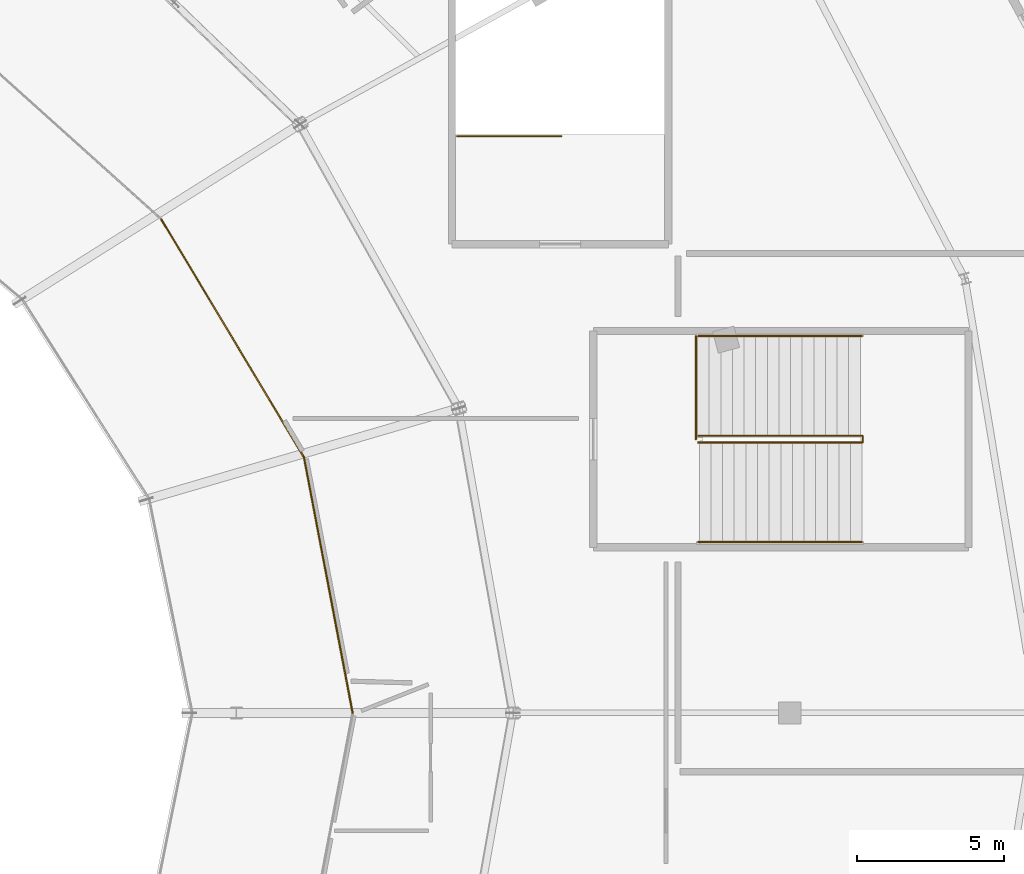
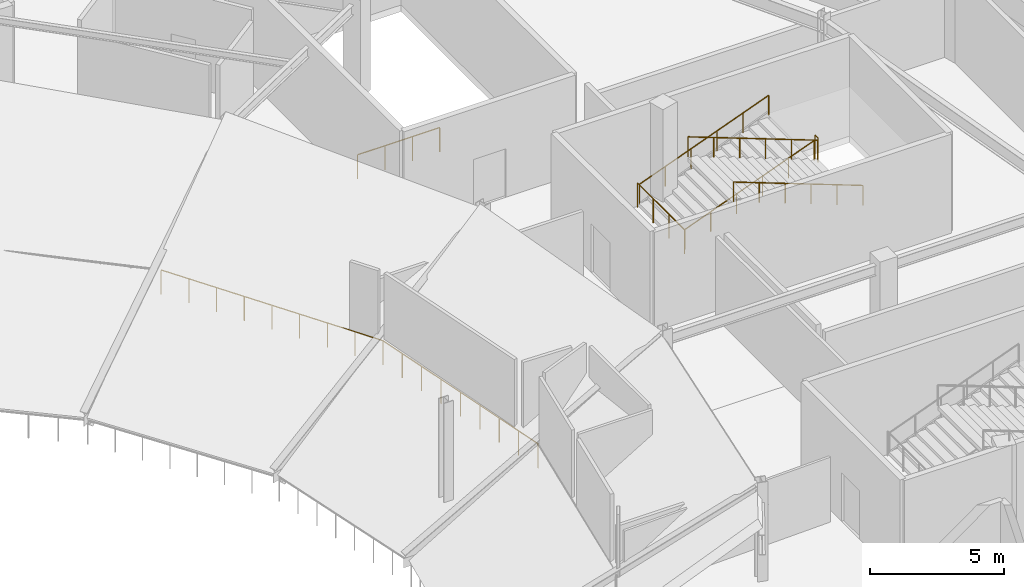
# One storey, part 62 of 63: 9 railings.
"""IFC4 building model written with IfcOpenShell, lengths in metres."""

from ifc_helpers import new_model, si_unit, direction, frame, origin, origin_2d, place, context, subcontext, project, spatial, circle, extrude, material, type_object, element, save


model = new_model("IFC4")

# Units and contexts
model_context = context("Model", 3, precision=1e-05, world=origin(), true_north=direction((0.0, 1.0)))
body_context = subcontext(model_context, "Body", "Model", "MODEL_VIEW")
ifc_project = project(units=[si_unit("LENGTHUNIT", "METRE"), si_unit("AREAUNIT", "SQUARE_METRE"), si_unit("VOLUMEUNIT", "CUBIC_METRE"), si_unit("PLANEANGLEUNIT", "RADIAN"), si_unit("MASSUNIT", "GRAM", prefix="KILO")], contexts=[model_context])

# Site, building, storey
site_placement = place(None, origin())
site = spatial("IfcSite", under=ifc_project, at=site_placement, CompositionType="ELEMENT")
building_placement = place(site_placement, origin())
building = spatial("IfcBuilding", under=site, at=building_placement, Name="Kalgoora Escarpment Arena", CompositionType="ELEMENT")
storey_placement = place(building_placement, frame((0.0, 0.0, 14.39990234375)))
storey = spatial("IfcBuildingStorey", under=building, at=storey_placement, Name="L03", CompositionType="ELEMENT", Elevation=14.39990234375)

# Railings
ifc_material_1 = material(Name="Galvanised & powdercoated tubular steel", Category="steel")
railing_type_1 = type_object("IfcRailingType", Name="RAL-GUARD-1120", PredefinedType="GUARDRAIL", material=ifc_material_1)
railing_1_placement = place(storey_placement, frame((158.280029296875, 73.405029296875, 2.25)))
element("IfcRailing", 1, at=railing_1_placement, inside=storey, type_object=railing_type_1, Name="ST21 L03 half-landing well guard", PredefinedType="GUARDRAIL", context=body_context, shape_type="SweptSolid", body=[
    extrude(circle(Radius=0.02392578125, at=origin_2d()), frame((0.0, 0.0, 1.09619140625), z_axis=(0.0, -1.0, 0.0), x_axis=(1.0, 0.0, 0.0)), (0.0, 0.0, 1.0), 0.2099609375),
    extrude(circle(Radius=0.02099609375, at=origin_2d()), origin(), (0.0, 0.0, 1.0), 1.072021484375),
    extrude(circle(Radius=0.02099609375, at=origin_2d()), frame((0.0, -0.2099609375, 0.0)), (0.0, 0.0, 1.0), 1.072021484375),
])
railing_2_placement = place(storey_placement, frame((152.610107421875, 76.7900390625, 0.0)))
element("IfcRailing", 2, at=railing_2_placement, inside=storey, type_object=railing_type_1, Name="ST21 L03 floor landing well guard", PredefinedType="GUARDRAIL", context=body_context, shape_type="SweptSolid", body=[
    extrude(circle(Radius=0.02392578125, at=origin_2d()), frame((0.0, 0.0, 1.09619140625), z_axis=(0.0, -1.0, 0.0), x_axis=(1.0, 0.0, 0.0)), (0.0, 0.0, 1.0), 3.489990234375),
    extrude(circle(Radius=0.02099609375, at=origin_2d()), origin(), (0.0, 0.0, 1.0), 1.072021484375),
    extrude(circle(Radius=0.02099609375, at=origin_2d()), frame((0.0, -1.163330078125, 0.0)), (0.0, 0.0, 1.0), 1.072021484375),
    extrude(circle(Radius=0.02099609375, at=origin_2d()), frame((0.0, -2.32666015625, 0.0)), (0.0, 0.0, 1.0), 1.072021484375),
    extrude(circle(Radius=0.02099609375, at=origin_2d()), frame((0.0, -3.489990234375, 0.0)), (0.0, 0.0, 1.0), 1.072021484375),
])
railing_3_placement = place(storey_placement, frame((144.510009765625, 83.590087890625, 0.0)))
element("IfcRailing", 3, at=railing_3_placement, inside=storey, type_object=railing_type_1, Name="ST23 top landing well guardrail", PredefinedType="GUARDRAIL", context=body_context, shape_type="SweptSolid", body=[
    extrude(circle(Radius=0.02392578125, at=origin_2d()), frame((0.0, 0.0, 1.09619140625), z_axis=(1.0, 0.0, 0.0), x_axis=(0.0, 1.0, 0.0)), (0.0, 0.0, 1.0), 3.530029296875),
    extrude(circle(Radius=0.02099609375, at=origin_2d()), origin(), (0.0, 0.0, 1.0), 1.072021484375),
    extrude(circle(Radius=0.02099609375, at=origin_2d()), frame((1.1767578125, 0.0, 0.0)), (0.0, 0.0, 1.0), 1.072021484375),
    extrude(circle(Radius=0.02099609375, at=origin_2d()), frame((2.353271484375, 0.0, 0.0)), (0.0, 0.0, 1.0), 1.072021484375),
    extrude(circle(Radius=0.02099609375, at=origin_2d()), frame((3.530029296875, 0.0, 0.0)), (0.0, 0.0, 1.0), 1.072021484375),
])
railing_4_placement = place(storey_placement, frame((140.949951171875, 64.0, 0.0)))
element("IfcRailing", 4, at=railing_4_placement, inside=storey, type_object=railing_type_1, Name="L03 concourse bowl balustrade 01", PredefinedType="GUARDRAIL", context=body_context, shape_type="SweptSolid", body=[
    extrude(circle(Radius=0.02392578125, at=origin_2d()), frame((0.0, 0.0, 1.09619140625), z_axis=(-0.187147644058, 0.982331796962, 0.0), x_axis=(-0.982331796962, -0.187147644058, 0.0)), (0.0, 0.0, 1.0), 8.839599609375),
    extrude(circle(Radius=0.02099609375, at=origin_2d()), origin(), (0.0, 0.0, 1.0), 1.072021484375),
    extrude(circle(Radius=0.02099609375, at=origin_2d()), frame((-0.206787109375, 1.08544921875, 0.0)), (0.0, 0.0, 1.0), 1.072021484375),
    extrude(circle(Radius=0.02099609375, at=origin_2d()), frame((-0.41357421875, 2.1708984375, 0.0)), (0.0, 0.0, 1.0), 1.072021484375),
    extrude(circle(Radius=0.02099609375, at=origin_2d()), frame((-0.620361328125, 3.25634765625, 0.0)), (0.0, 0.0, 1.0), 1.072021484375),
    extrude(circle(Radius=0.02099609375, at=origin_2d()), frame((-0.8271484375, 4.341796875, 0.0)), (0.0, 0.0, 1.0), 1.072021484375),
    extrude(circle(Radius=0.02099609375, at=origin_2d()), frame((-1.033935546875, 5.427001953125, 0.0)), (0.0, 0.0, 1.0), 1.072021484375),
    extrude(circle(Radius=0.02099609375, at=origin_2d()), frame((-1.24072265625, 6.512451171875, 0.0)), (0.0, 0.0, 1.0), 1.072021484375),
    extrude(circle(Radius=0.02099609375, at=origin_2d()), frame((-1.447509765625, 7.597900390625, 0.0)), (0.0, 0.0, 1.0), 1.072021484375),
    extrude(circle(Radius=0.02099609375, at=origin_2d()), frame((-1.654296875, 8.683349609375, 0.0)), (0.0, 0.0, 1.0), 1.072021484375),
])
railing_5_placement = place(storey_placement, frame((139.295654296875, 72.683349609375, 0.0)))
element("IfcRailing", 5, at=railing_5_placement, inside=storey, type_object=railing_type_1, Name="L03 concourse bowl balustrade 02", PredefinedType="GUARDRAIL", context=body_context, shape_type="SweptSolid", body=[
    extrude(circle(Radius=0.02392578125, at=origin_2d()), frame((0.0, 0.0, 1.09619140625), z_axis=(-0.514118933044, 0.857718906569, 0.0), x_axis=(-0.857718906569, -0.514118933044, 0.0)), (0.0, 0.0, 1.0), 9.433837890625),
    extrude(circle(Radius=0.02099609375, at=origin_2d()), origin(), (0.0, 0.0, 1.0), 1.072021484375),
    extrude(circle(Radius=0.02099609375, at=origin_2d()), frame((-0.606201171875, 1.011474609375, 0.0)), (0.0, 0.0, 1.0), 1.072021484375),
    extrude(circle(Radius=0.02099609375, at=origin_2d()), frame((-1.21240234375, 2.02294921875, 0.0)), (0.0, 0.0, 1.0), 1.072021484375),
    extrude(circle(Radius=0.02099609375, at=origin_2d()), frame((-1.81884765625, 3.034423828125, 0.0)), (0.0, 0.0, 1.0), 1.072021484375),
    extrude(circle(Radius=0.02099609375, at=origin_2d()), frame((-2.425048828125, 4.0458984375, 0.0)), (0.0, 0.0, 1.0), 1.072021484375),
    extrude(circle(Radius=0.02099609375, at=origin_2d()), frame((-3.03125, 5.05712890625, 0.0)), (0.0, 0.0, 1.0), 1.072021484375),
    extrude(circle(Radius=0.02099609375, at=origin_2d()), frame((-3.6376953125, 6.068603515625, 0.0)), (0.0, 0.0, 1.0), 1.072021484375),
    extrude(circle(Radius=0.02099609375, at=origin_2d()), frame((-4.243896484375, 7.080078125, 0.0)), (0.0, 0.0, 1.0), 1.072021484375),
    extrude(circle(Radius=0.02099609375, at=origin_2d()), frame((-4.85009765625, 8.091552734375, 0.0)), (0.0, 0.0, 1.0), 1.072021484375),
])
ifc_material_2 = material(Name="Brushed stainless steel 316 handrail", Category="steel")
railing_type_2 = type_object("IfcRailingType", Name="RAL-HAND-920", PredefinedType="HANDRAIL", material=ifc_material_2)
for number, where, name in (
    (6, (152.68994140625, 76.800048828125, 0.110107421875), "ST21 L03 pitched stair handrail F1L"),
    (7, (152.68994140625, 73.4150390625, 0.110107421875), "ST21 L03 pitched stair handrail F1R"),
):
    element("IfcRailing", number, at=place(storey_placement, frame(where)), inside=storey, type_object=railing_type_2, Name=name, PredefinedType="HANDRAIL", context=body_context, shape_type="SweptSolid", body=[
        extrude(circle(Radius=0.02392578125, at=origin_2d()), frame((0.0, 0.0, 0.89599609375), z_axis=(0.935492612948, 0.0, 0.353346248203), x_axis=(0.0, 1.0, 0.0)), (0.0, 0.0, 1.0), 5.943359375),
        extrude(circle(Radius=0.02099609375, at=origin_2d()), origin(), (0.0, 0.0, 1.0), 0.871826171875),
        extrude(circle(Radius=0.02099609375, at=origin_2d()), frame((1.112060546875, 0.0, 0.419921875)), (0.0, 0.0, 1.0), 0.871826171875),
        extrude(circle(Radius=0.02099609375, at=origin_2d()), frame((2.22412109375, 0.0, 0.840087890625)), (0.0, 0.0, 1.0), 0.871826171875),
        extrude(circle(Radius=0.02099609375, at=origin_2d()), frame((3.3359375, 0.0, 1.260009765625)), (0.0, 0.0, 1.0), 0.871826171875),
        extrude(circle(Radius=0.02099609375, at=origin_2d()), frame((4.447998046875, 0.0, 1.68017578125)), (0.0, 0.0, 1.0), 0.871826171875),
        extrude(circle(Radius=0.02099609375, at=origin_2d()), frame((5.56005859375, 0.0, 2.10009765625)), (0.0, 0.0, 1.0), 0.871826171875),
    ])
for number, where, name in (
    (8, (158.25, 73.18505859375, 2.360107421875), "ST21 L03 pitched stair handrail F2L"),
    (9, (158.25, 69.800048828125, 2.360107421875), "ST21 L03 pitched stair handrail F2R"),
):
    element("IfcRailing", number, at=place(storey_placement, frame(where)), inside=storey, type_object=railing_type_2, Name=name, PredefinedType="HANDRAIL", context=body_context, shape_type="SweptSolid", body=[
        extrude(circle(Radius=0.02392578125, at=origin_2d()), frame((0.0, 0.0, 0.89599609375), z_axis=(-0.935492612948, 0.0, 0.353346248203), x_axis=(0.0, -1.0, 0.0)), (0.0, 0.0, 1.0), 5.943359375),
        extrude(circle(Radius=0.02099609375, at=origin_2d()), origin(), (0.0, 0.0, 1.0), 0.871826171875),
        extrude(circle(Radius=0.02099609375, at=origin_2d()), frame((-1.112060546875, 0.0, 0.419921875)), (0.0, 0.0, 1.0), 0.871826171875),
        extrude(circle(Radius=0.02099609375, at=origin_2d()), frame((-2.22412109375, 0.0, 0.840087890625)), (0.0, 0.0, 1.0), 0.871826171875),
        extrude(circle(Radius=0.02099609375, at=origin_2d()), frame((-3.3359375, 0.0, 1.260009765625)), (0.0, 0.0, 1.0), 0.871826171875),
        extrude(circle(Radius=0.02099609375, at=origin_2d()), frame((-4.447998046875, 0.0, 1.68017578125)), (0.0, 0.0, 1.0), 0.871826171875),
        extrude(circle(Radius=0.02099609375, at=origin_2d()), frame((-5.56005859375, 0.0, 2.10009765625)), (0.0, 0.0, 1.0), 0.871826171875),
    ])

save(model, "model.ifc")
